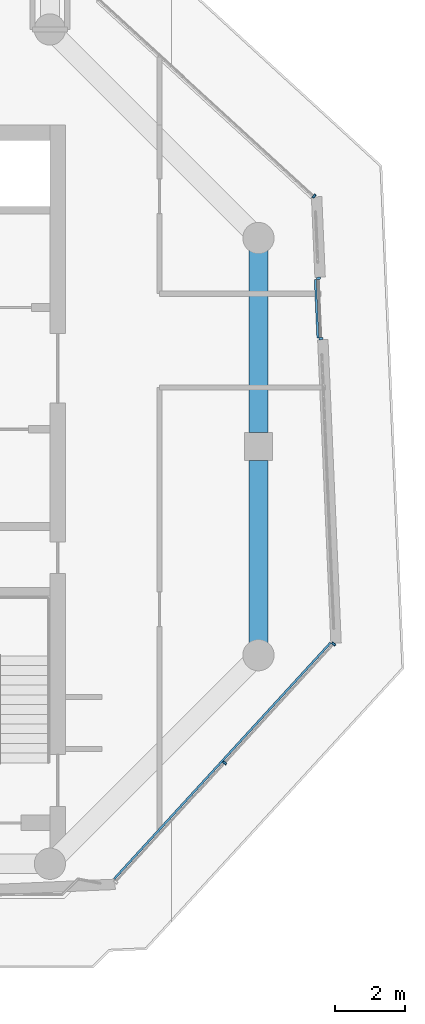
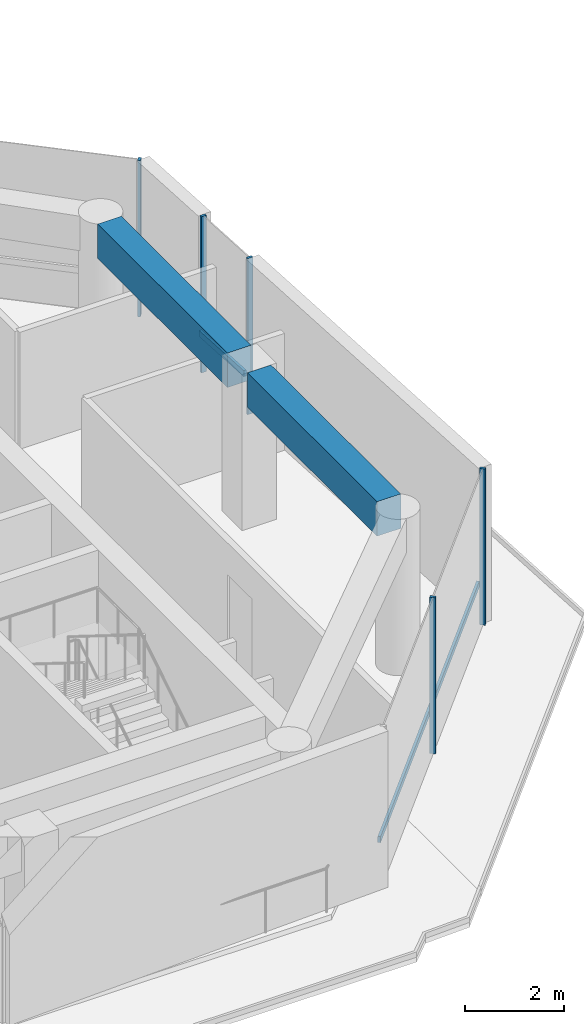
# One storey, part 6 of 21: 7 members, 2 beams, 3 elements without a shape of their own.
"""IFC4 building model written with IfcOpenShell, lengths in metres."""

from ifc_helpers import new_model, si_unit, direction, frame, origin, origin_2d, place, context, subcontext, project, spatial, rectangle, extrude, material, layer, layer_set, material_profile, profile_set, type_object, element, aggregate, save


model = new_model("IFC4")

# Units and contexts
model_context = context("Model", 3, precision=1e-05, world=origin(), true_north=direction((0.0, 1.0)))
body_context = subcontext(model_context, "Body", "Model", "MODEL_VIEW")
ifc_project = project(units=[si_unit("LENGTHUNIT", "METRE"), si_unit("AREAUNIT", "SQUARE_METRE"), si_unit("VOLUMEUNIT", "CUBIC_METRE"), si_unit("PLANEANGLEUNIT", "RADIAN"), si_unit("MASSUNIT", "GRAM", prefix="KILO")], contexts=[model_context])

# Site, building, storey
site_placement = place(None, origin())
site = spatial("IfcSite", under=ifc_project, at=site_placement, CompositionType="ELEMENT")
building_placement = place(site_placement, origin())
building = spatial("IfcBuilding", under=site, at=building_placement, Name="Welwitschia Terrace Campus", CompositionType="ELEMENT")
storey_placement = place(building_placement, frame((0.0, 0.0, 218.0)))
storey = spatial("IfcBuildingStorey", under=building, at=storey_placement, Name="L48", CompositionType="ELEMENT", Elevation=218.0)

# Curtain wall, members
ifc_material_1 = material(Name="Bronze anodised aluminium", Category="aluminium")
ifc_layer = layer(ifc_material_1, 0.1201171875)
ifc_layer_set = layer_set([ifc_layer], Name="Bronze anodised aluminium")
curtain_wall_type = type_object("IfcCurtainWallType", Name="Curtain wall CW2 tower 6000", PredefinedType="NOTDEFINED", material=ifc_layer_set)
curtain_wall_1_placement = place(storey_placement, origin())
curtain_wall_1 = element("IfcCurtainWall", 1, at=curtain_wall_1_placement, inside=storey, type_object=curtain_wall_type, Name="CW L48.2.0", PredefinedType="NOTDEFINED")
ifc_material_2 = material(Name="Bronze anodised aluminium", Category="aluminium")
ifc_material_profile_1 = material_profile(ifc_material_2, rectangle(XDim=0.1201171875, YDim=0.06005859375, at=origin_2d()))
ifc_profile_set_1 = profile_set([ifc_material_profile_1], Name="Bronze anodised aluminium")
member_type_1 = type_object("IfcMemberType", Name="Mullion 60x120", PredefinedType="MULLION", material=ifc_profile_set_1)
member_1_placement = place(storey_placement, frame((29.02880859375, 6.900390625, 0.0), z_axis=(0.0, 0.0, 1.0), x_axis=(-0.73727733681, 0.675590207616, 0.0)))
member_1 = element("IfcMember", 2, at=member_1_placement, type_object=member_type_1, Name="Mullion L48.2.0.1", PredefinedType="MULLION", context=body_context, shape_type="SweptSolid", body=[
    extrude(rectangle(XDim=0.1201171875, YDim=0.06005859375, at=origin_2d()), origin(), (0.0, 0.0, 1.0), 3.85009765625),
])
member_2_placement = place(storey_placement, frame((32.1630859375, 10.32080078125, 0.0), z_axis=(0.0, 0.0, 1.0), x_axis=(-0.73727733681, 0.675590207616, 0.0)))
member_2 = element("IfcMember", 3, at=member_2_placement, type_object=member_type_1, Name="Mullion L48.2.0.2", PredefinedType="MULLION", context=body_context, shape_type="SweptSolid", body=[
    extrude(rectangle(XDim=0.1201171875, YDim=0.06005859375, at=origin_2d()), origin(), (0.0, 0.0, 1.0), 3.85009765625),
])

curtain_wall_2_placement = place(storey_placement, origin())
curtain_wall_2 = element("IfcCurtainWall", 4, at=curtain_wall_2_placement, inside=storey, type_object=curtain_wall_type, Name="CW L48.3.S0", PredefinedType="NOTDEFINED")
member_3_placement = place(storey_placement, frame((31.80078125, 19.1044921875, 0.0), z_axis=(0.0, 0.0, 1.0), x_axis=(-0.999048221582, -0.043619387365, 0.0)))
member_3 = element("IfcMember", 5, at=member_3_placement, type_object=member_type_1, Name="Mullion L48.3.S0.0", PredefinedType="MULLION", context=body_context, shape_type="SweptSolid", body=[
    extrude(rectangle(XDim=0.1201171875, YDim=0.06005859375, at=origin_2d()), origin(), (0.0, 0.0, 1.0), 3.85009765625),
])
member_4_placement = place(storey_placement, frame((31.724853515625, 20.8427734375, 0.0), z_axis=(0.0, 0.0, 1.0), x_axis=(-0.999048221582, -0.043619387365, 0.0)))
member_4 = element("IfcMember", 6, at=member_4_placement, type_object=member_type_1, Name="Mullion L48.3.S0.1", PredefinedType="MULLION", context=body_context, shape_type="SweptSolid", body=[
    extrude(rectangle(XDim=0.1201171875, YDim=0.06005859375, at=origin_2d()), origin(), (0.0, 0.0, 1.0), 3.85009765625),
])

# Curtain wall, member
curtain_wall_3_placement = place(storey_placement, origin())
curtain_wall_3 = element("IfcCurtainWall", 7, at=curtain_wall_3_placement, inside=storey, type_object=curtain_wall_type, Name="CW L48.4.0", PredefinedType="NOTDEFINED")
member_5_placement = place(storey_placement, frame((31.6005859375, 23.2041015625, 0.0), z_axis=(0.0, 0.0, 1.0), x_axis=(-0.675590207616, -0.73727733681, 0.0)))
member_5 = element("IfcMember", 8, at=member_5_placement, type_object=member_type_1, Name="Mullion L48.4.0.0", PredefinedType="MULLION", context=body_context, shape_type="SweptSolid", body=[
    extrude(rectangle(XDim=0.1201171875, YDim=0.06005859375, at=origin_2d()), origin(), (0.0, 0.0, 1.0), 3.85009765625),
])
aggregate(curtain_wall_3, [member_5])

# Beams
ifc_material_3 = material(Name="Concrete C50/60", Category="concrete")
ifc_material_profile_2 = material_profile(ifc_material_3, rectangle(XDim=0.550048828125, YDim=0.85009765625, at=origin_2d()))
ifc_profile_set_2 = profile_set([ifc_material_profile_2], Name="Concrete C50/60")
beam_type = type_object("IfcBeamType", Name="Ring spandrel 550x850", PredefinedType="SPANDREL", material=ifc_profile_set_2)
for number, where, z_axis, x_axis, name in (
    (9, (30.0, 10.35693359375, 3.425048828125), (0.0, 1.0, 0.0), (-1.0, 0.0, 0.0), "Spandrel SP3"),
    (10, (30.0, 16.400390625, 3.425048828125), (0.0, 1.0, 0.0), (-1.0, 0.0, 0.0), "Spandrel SP3"),
):
    element("IfcBeam", number, at=place(storey_placement, frame(where, z_axis=z_axis, x_axis=x_axis)), inside=storey, type_object=beam_type, Name=name, PredefinedType="SPANDREL", context=body_context, shape_type="SweptSolid", body=[
        extrude(rectangle(XDim=0.550048828125, YDim=0.85009765625, at=origin_2d()), origin(), (0.0, 0.0, 1.0), 5.24267578125),
    ])

# Member
ifc_material_4 = material(Name="Bronze anodised aluminium", Category="aluminium")
ifc_material_profile_3 = material_profile(ifc_material_4, rectangle(XDim=0.06005859375, YDim=0.14990234375, at=origin_2d()))
ifc_profile_set_3 = profile_set([ifc_material_profile_3], Name="Bronze anodised aluminium")
member_type_2 = type_object("IfcMemberType", Name="Transom 60x150", PredefinedType="USERDEFINED", material=ifc_profile_set_3)
member_6_placement = place(storey_placement, frame((25.8486328125, 3.562744140625, 1.0), z_axis=(0.675579503276, 0.737287145388, 0.0), x_axis=(-0.737287145388, 0.675579503276, 0.0)))
member_6 = element("IfcMember", 11, at=member_6_placement, type_object=member_type_2, Name="Transom L48.2.0", ObjectType="TRANSOM", PredefinedType="USERDEFINED", context=body_context, shape_type="SweptSolid", body=[
    extrude(rectangle(XDim=0.06005859375, YDim=0.14990234375, at=origin_2d()), origin(), (0.0, 0.0, 1.0), 9.218505859375),
])

aggregate(curtain_wall_1, [member_1, member_2, member_6])

member_7_placement = place(storey_placement, frame((31.709716796875, 19.130615234375, 1.0), z_axis=(-0.043601208109, 0.99904901514, 0.0), x_axis=(-0.99904901514, -0.043601208109, 0.0)))
member_7 = element("IfcMember", 12, at=member_7_placement, type_object=member_type_2, Name="Transom L48.3.S0", ObjectType="TRANSOM", PredefinedType="USERDEFINED", context=body_context, shape_type="SweptSolid", body=[
    extrude(rectangle(XDim=0.06005859375, YDim=0.14990234375, at=origin_2d()), origin(), (0.0, 0.0, 1.0), 1.679931640625),
])

aggregate(curtain_wall_2, [member_3, member_4, member_7])

save(model, "model.ifc")
